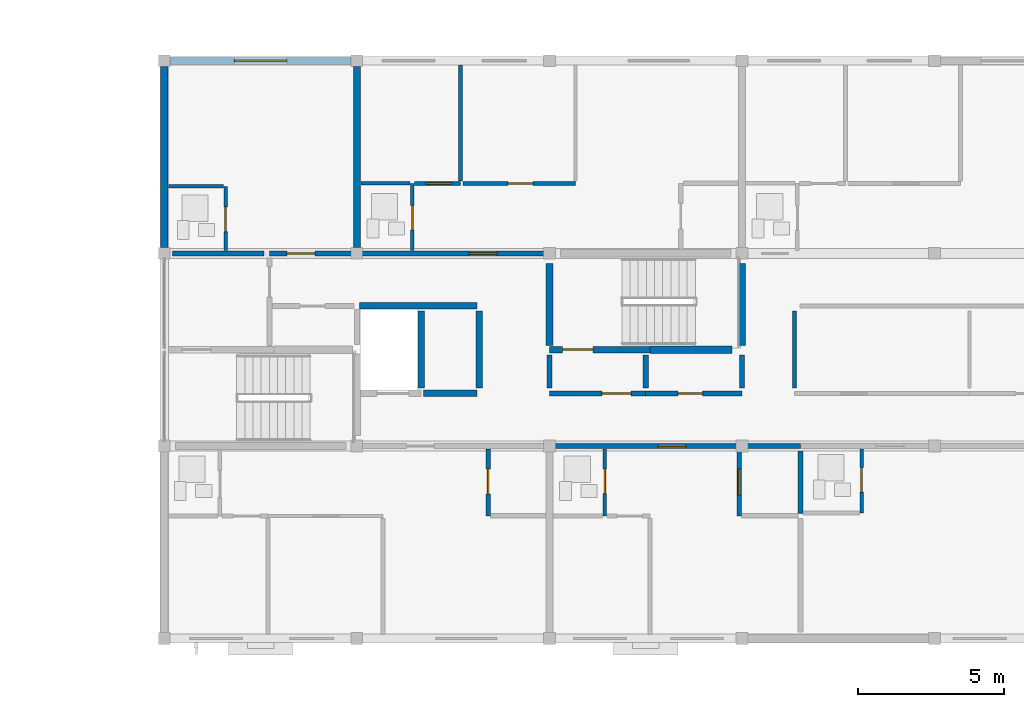
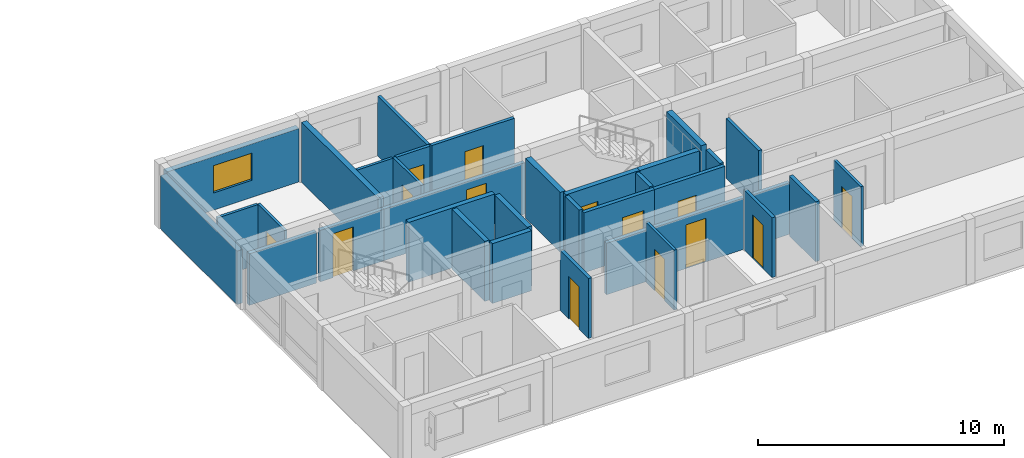
# One storey, part 24 of 37: 33 walls, 14 doors, 1 window, 15 openings.
"""IFC4 building model written with IfcOpenShell, lengths in metres."""

from ifc_helpers import new_model, si_unit, direction, frame, frame_2d, origin, place, context, subcontext, project, spatial, rectangle, extrude, material, layer, layer_set, type_object, element, fill, save


model = new_model("IFC4")

# Units and contexts
model_context = context("Model", 3, precision=1e-05, world=origin(), true_north=direction((0.0, 1.0)))
body_context = subcontext(model_context, "Body", "Model", "MODEL_VIEW")
ifc_project = project(units=[si_unit("LENGTHUNIT", "METRE"), si_unit("AREAUNIT", "SQUARE_METRE"), si_unit("VOLUMEUNIT", "CUBIC_METRE"), si_unit("PLANEANGLEUNIT", "RADIAN"), si_unit("MASSUNIT", "GRAM", prefix="KILO")], contexts=[model_context])

# Site, building, storey
site_placement = place(None, origin())
site = spatial("IfcSite", under=ifc_project, at=site_placement, CompositionType="ELEMENT")
building_placement = place(site_placement, origin())
building = spatial("IfcBuilding", under=site, at=building_placement, Name="Kernevlak Ridge Housing Community", CompositionType="ELEMENT")
storey_placement = place(building_placement, frame((0.0, 0.0, 37.199951171875)))
storey = spatial("IfcBuildingStorey", under=building, at=storey_placement, Name="L11", CompositionType="ELEMENT", Elevation=37.199951171875)

# Wall, opening, window
ifc_material_1 = material(Name="Concrete block masonry M10", Category="masonry")
ifc_layer_1 = layer(ifc_material_1, 0.260009765625, Name="Concrete block masonry M10")
ifc_layer_set_1 = layer_set([ifc_layer_1], Name="Concrete block masonry M10")
wall_type_1 = type_object("IfcWallType", Name="EW-05", PredefinedType="STANDARD", material=ifc_layer_set_1)
wall_1_placement = place(storey_placement, frame((119.60009765625, 102.39990234375, 0.0), z_axis=(0.0, 0.0, 1.0), x_axis=(1.0, 0.0, 0.0)))
wall_1 = element("IfcWall", 1, at=wall_1_placement, inside=storey, type_object=wall_type_1, Name="Exterior wall EW-05 L11 472", PredefinedType="STANDARD", context=body_context, shape_type="SweptSolid", body=[
    extrude(rectangle(XDim=6.199951171875, YDim=0.260009765625, at=frame_2d((3.10009765625, 0.0))), origin(), (0.0, 0.0, 1.0), 2.650146484375),
])
opening_1_placement = place(wall_1_placement, frame((2.199951171875, 0.0, 0.85009765625)))
opening_1 = element("IfcOpeningElement", 2, at=opening_1_placement, cuts=wall_1, Name="Opening WT-03", PredefinedType="OPENING", context=body_context, shape_type="SweptSolid", body=[
    extrude(rectangle(XDim=1.800048828125, YDim=1.35009765625, at=frame_2d((0.89990234375, 0.675048828125))), frame((0.0, 0.139892578125, 0.0), z_axis=(0.0, -1.0, 0.0), x_axis=(1.0, 0.0, 0.0)), (0.0, 0.0, 1.0), 0.280029296875),
])
ifc_material_2 = material(Name="Aluminium EN AW-6060 anodised and laminated glass", Category="aluminium")
window_type = type_object("IfcWindowType", Name="WT-03", PartitioningType="SINGLE_PANEL", PredefinedType="WINDOW", material=ifc_material_2)
window_placement = place(opening_1_placement, origin())
window = element("IfcWindow", 3, at=window_placement, inside=storey, type_object=window_type, Name="Window WT-03 L11 367", OverallHeight=1.35009765625, OverallWidth=1.800048828125, PartitioningType="SINGLE_PANEL", PredefinedType="WINDOW", context=body_context, shape_type="SweptSolid", body=[
    extrude(rectangle(XDim=1.800048828125, YDim=1.35009765625, at=frame_2d((0.89990234375, 0.675048828125))), frame((0.0, 0.030029296875, 0.0), z_axis=(0.0, -1.0, 0.0), x_axis=(1.0, 0.0, 0.0)), (0.0, 0.0, 1.0), 0.06005859375),
])
fill(opening_1, window)

# Walls
wall_2_placement = place(storey_placement, frame((119.39990234375, 96.0, 0.0), z_axis=(0.0, 0.0, 1.0), x_axis=(0.0, 1.0, 0.0)))
element("IfcWall", 4, at=wall_2_placement, inside=storey, type_object=wall_type_1, Name="Exterior wall EW-05 L11 480", PredefinedType="STANDARD", context=body_context, shape_type="SweptSolid", body=[
    extrude(rectangle(XDim=6.199951171875, YDim=0.260009765625, at=frame_2d((3.10009765625, 0.0))), origin(), (0.0, 0.0, 1.0), 2.650146484375),
])
ifc_material_3 = material(Name="Concrete C35/45", Category="concrete")
ifc_layer_2 = layer(ifc_material_3, 0.22509765625, Name="Concrete C35/45")
ifc_layer_set_2 = layer_set([ifc_layer_2], Name="Concrete C35/45")
wall_type_2 = type_object("IfcWallType", Name="PW-01", PredefinedType="STANDARD", material=ifc_layer_set_2)
wall_3_placement = place(storey_placement, frame((128.280029296875, 91.0, 0.0), z_axis=(0.0, 0.0, 1.0), x_axis=(1.0, 0.0, 0.0)))
element("IfcWall", 5, at=wall_3_placement, inside=storey, type_object=wall_type_2, Name="Interior wall PW-01 WAL-INT-L11-1833", PredefinedType="STANDARD", context=body_context, shape_type="SweptSolid", body=[
    extrude(rectangle(XDim=1.840087890625, YDim=0.22509765625, at=frame_2d((0.919921875, 0.0))), origin(), (0.0, 0.0, 1.0), 2.969970703125),
])
wall_4_placement = place(storey_placement, frame((126.097412109375, 94.0, 0.0), z_axis=(0.0, 0.0, 1.0), x_axis=(1.0, 0.0, 0.0)))
element("IfcWall", 6, at=wall_4_placement, inside=storey, type_object=wall_type_2, Name="Interior wall PW-01 WAL-INT-L11-1834", PredefinedType="STANDARD", context=body_context, shape_type="SweptSolid", body=[
    extrude(rectangle(XDim=4.022705078125, YDim=0.22509765625, at=frame_2d((2.01123046875, 0.0))), origin(), (0.0, 0.0, 1.0), 2.969970703125),
])
for number, where, z_axis, x_axis, name in (
    (7, (128.199951171875, 91.179931640625, 0.0), (0.0, 0.0, 1.0), (0.0, 1.0, 0.0), "Interior wall PW-01 WAL-INT-L11-1836"),
    (8, (130.199951171875, 91.179931640625, 0.0), (0.0, 0.0, 1.0), (0.0, 1.0, 0.0), "Interior wall PW-01 WAL-INT-L11-1837"),
):
    element("IfcWall", number, at=place(storey_placement, frame(where, z_axis=z_axis, x_axis=x_axis)), inside=storey, type_object=wall_type_2, Name=name, PredefinedType="STANDARD", context=body_context, shape_type="SweptSolid", body=[
        extrude(rectangle(XDim=2.64013671875, YDim=0.22509765625, at=frame_2d((1.320068359375, 0.0))), origin(), (0.0, 0.0, 1.0), 2.969970703125),
    ])

# Wall, opening, door
wall_5_placement = place(storey_placement, frame((132.60009765625, 92.5, 0.0), z_axis=(0.0, 0.0, 1.0), x_axis=(1.0, 0.0, 0.0)))
wall_5 = element("IfcWall", 9, at=wall_5_placement, inside=storey, type_object=wall_type_2, Name="Interior wall PW-01 WAL-INT-L11-1838", PredefinedType="STANDARD", context=body_context, shape_type="SweptSolid", body=[
    extrude(rectangle(XDim=3.449951171875, YDim=0.22509765625, at=frame_2d((1.72509765625, 0.0))), origin(), (0.0, 0.0, 1.0), 2.969970703125),
])
opening_2_placement = place(wall_5_placement, frame((0.449951171875, 0.0, 0.0)))
opening_2 = element("IfcOpeningElement", 10, at=opening_2_placement, cuts=wall_5, Name="Opening D930", PredefinedType="OPENING", context=body_context, shape_type="SweptSolid", body=[
    extrude(rectangle(XDim=1.0400390625, YDim=2.1201171875, at=frame_2d((0.52001953125, 1.06005859375))), frame((0.0, 0.12255859375, 0.0), z_axis=(0.0, -1.0, 0.0), x_axis=(1.0, 0.0, 0.0)), (0.0, 0.0, 1.0), 0.2451171875),
])
ifc_material_4 = material(Name="Fire-rated sheet steel leaf", Category="steel")
door_type_1 = type_object("IfcDoorType", Name="DT-16", OperationType="NOTDEFINED", PredefinedType="DOOR", material=ifc_material_4)
door_1_placement = place(opening_2_placement, origin())
door_1 = element("IfcDoor", 11, at=door_1_placement, inside=storey, type_object=door_type_1, Name="Block B Stair 2 fire door D930", OperationType="SINGLE_SWING_RIGHT", OverallHeight=2.1201171875, OverallWidth=1.0400390625, PredefinedType="DOOR", context=body_context, shape_type="SweptSolid", body=[
    extrude(rectangle(XDim=1.0400390625, YDim=2.1201171875, at=frame_2d((0.52001953125, 1.06005859375))), frame((0.0, 0.02490234375, 0.0), z_axis=(0.0, -1.0, 0.0), x_axis=(1.0, 0.0, 0.0)), (0.0, 0.0, 1.0), 0.050048828125),
])
fill(opening_2, door_1)

ifc_layer_3 = layer(ifc_material_1, 0.175048828125, Name="Concrete block masonry M10")
ifc_layer_set_3 = layer_set([ifc_layer_3], Name="Concrete block masonry M10")
wall_type_3 = type_object("IfcWallType", Name="PW-02", PredefinedType="PARTITIONING", material=ifc_layer_set_3)
wall_6_placement = place(storey_placement, frame((132.60009765625, 91.0, 0.0), z_axis=(0.0, 0.0, 1.0), x_axis=(1.0, 0.0, 0.0)))
wall_6 = element("IfcWall", 12, at=wall_6_placement, inside=storey, type_object=wall_type_3, Name="Interior wall PW-02 WAL-INT-L11-1839", PredefinedType="PARTITIONING", context=body_context, shape_type="SweptSolid", body=[
    extrude(rectangle(XDim=3.2998046875, YDim=0.175048828125, at=frame_2d((1.64990234375, 0.0))), origin(), (0.0, 0.0, 1.0), 2.969970703125),
])
opening_3_placement = place(wall_6_placement, frame((1.800048828125, 0.0, 0.0)))
opening_3 = element("IfcOpeningElement", 13, at=opening_3_placement, cuts=wall_6, Name="Opening D931", PredefinedType="OPENING", context=body_context, shape_type="SweptSolid", body=[
    extrude(rectangle(XDim=1.0, YDim=2.10009765625, at=frame_2d((0.5, 1.050048828125))), frame((0.0, 0.097412109375, 0.0), z_axis=(0.0, -1.0, 0.0), x_axis=(1.0, 0.0, 0.0)), (0.0, 0.0, 1.0), 0.195068359375),
])
door_type_2 = type_object("IfcDoorType", Name="DT-05", OperationType="NOTDEFINED", PredefinedType="DOOR", material=ifc_material_4)
door_2_placement = place(opening_3_placement, origin())
door_2 = element("IfcDoor", 14, at=door_2_placement, inside=storey, type_object=door_type_2, Name="Block B Firefighting lobby 2 door D931", OperationType="SINGLE_SWING_LEFT", OverallHeight=2.10009765625, OverallWidth=1.0, PredefinedType="DOOR", context=body_context, shape_type="SweptSolid", body=[
    extrude(rectangle(XDim=1.0, YDim=2.10009765625, at=frame_2d((0.5, 1.050048828125))), frame((0.0, 0.02490234375, 0.0), z_axis=(0.0, -1.0, 0.0), x_axis=(1.0, 0.0, 0.0)), (0.0, 0.0, 1.0), 0.050048828125),
])
fill(opening_3, door_2)

wall_7_placement = place(storey_placement, frame((135.89990234375, 91.0, 0.0), z_axis=(0.0, 0.0, 1.0), x_axis=(1.0, 0.0, 0.0)))
wall_7 = element("IfcWall", 15, at=wall_7_placement, inside=storey, type_object=wall_type_3, Name="Interior wall PW-02 WAL-INT-L11-1840", PredefinedType="PARTITIONING", context=body_context, shape_type="SweptSolid", body=[
    extrude(rectangle(XDim=3.300048828125, YDim=0.175048828125, at=frame_2d((1.64990234375, 0.0))), origin(), (0.0, 0.0, 1.0), 2.969970703125),
])
opening_4_placement = place(wall_7_placement, frame((1.10009765625, 0.0, 0.0)))
opening_4 = element("IfcOpeningElement", 16, at=opening_4_placement, cuts=wall_7, Name="Opening D932", PredefinedType="OPENING", context=body_context, shape_type="SweptSolid", body=[
    extrude(rectangle(XDim=0.85009765625, YDim=2.0, at=frame_2d((0.425048828125, 1.0))), frame((0.0, 0.097412109375, 0.0), z_axis=(0.0, -1.0, 0.0), x_axis=(1.0, 0.0, 0.0)), (0.0, 0.0, 1.0), 0.195068359375),
])
door_type_3 = type_object("IfcDoorType", Name="DT-07", OperationType="NOTDEFINED", PredefinedType="DOOR", material=ifc_material_4)
door_3_placement = place(opening_4_placement, origin())
door_3 = element("IfcDoor", 17, at=door_3_placement, inside=storey, type_object=door_type_3, Name="Block B Cleaner store door D932", OperationType="SINGLE_SWING_RIGHT", OverallHeight=2.0, OverallWidth=0.85009765625, PredefinedType="DOOR", context=body_context, shape_type="SweptSolid", body=[
    extrude(rectangle(XDim=0.85009765625, YDim=2.0, at=frame_2d((0.425048828125, 1.0))), frame((0.0, 0.02490234375, 0.0), z_axis=(0.0, -1.0, 0.0), x_axis=(1.0, 0.0, 0.0)), (0.0, 0.0, 1.0), 0.050048828125),
])
fill(opening_4, door_3)

# Walls
for number, where, z_axis, x_axis, name in (
    (18, (132.60009765625, 91.179931640625, 0.0), (0.0, 0.0, 1.0), (0.0, 1.0, 0.0), "Interior wall PW-02 WAL-INT-L11-1841"),
    (19, (135.89990234375, 91.179931640625, 0.0), (0.0, 0.0, 1.0), (0.0, 1.0, 0.0), "Interior wall PW-02 WAL-INT-L11-1842"),
    (20, (139.199951171875, 91.179931640625, 0.0), (0.0, 0.0, 1.0), (0.0, 1.0, 0.0), "Interior wall PW-02 WAL-INT-L11-1843"),
):
    element("IfcWall", number, at=place(storey_placement, frame(where, z_axis=z_axis, x_axis=x_axis)), inside=storey, type_object=wall_type_3, Name=name, PredefinedType="PARTITIONING", context=body_context, shape_type="SweptSolid", body=[
        extrude(rectangle(XDim=1.14013671875, YDim=0.175048828125, at=frame_2d((0.570068359375, 0.0))), origin(), (0.0, 0.0, 1.0), 2.969970703125),
    ])

# Wall, opening, door
wall_8_placement = place(storey_placement, frame((132.60009765625, 89.199951171875, 0.0), z_axis=(0.0, 0.0, 1.0), x_axis=(1.0, 0.0, 0.0)))
wall_8 = element("IfcWall", 21, at=wall_8_placement, inside=storey, type_object=wall_type_3, Name="Interior wall PW-02 WAL-INT-L11-1858", PredefinedType="PARTITIONING", context=body_context, shape_type="SweptSolid", body=[
    extrude(rectangle(XDim=8.599853515625, YDim=0.175048828125, at=frame_2d((4.2998046875, 0.0))), origin(), (0.0, 0.0, 1.0), 2.550048828125),
])
opening_5_placement = place(wall_8_placement, frame((3.72509765625, 0.0, 0.0)))
opening_5 = element("IfcOpeningElement", 22, at=opening_5_placement, cuts=wall_8, Name="Opening D940", PredefinedType="OPENING", context=body_context, shape_type="SweptSolid", body=[
    extrude(rectangle(XDim=0.949951171875, YDim=2.159912109375, at=frame_2d((0.47509765625, 1.080078125))), frame((0.0, 0.097412109375, 0.0), z_axis=(0.0, -1.0, 0.0), x_axis=(1.0, 0.0, 0.0)), (0.0, 0.0, 1.0), 0.195068359375),
])
ifc_material_5 = material(Name="Hardwood timber solid-core fire leaf", Category="wood")
door_type_4 = type_object("IfcDoorType", Name="DT-02", OperationType="NOTDEFINED", PredefinedType="DOOR", material=ifc_material_5)
door_4_placement = place(opening_5_placement, origin())
door_4 = element("IfcDoor", 23, at=door_4_placement, inside=storey, type_object=door_type_4, Name="Flat B1112 entrance fire door D940", OperationType="SINGLE_SWING_RIGHT", OverallHeight=2.159912109375, OverallWidth=0.949951171875, PredefinedType="DOOR", context=body_context, shape_type="SweptSolid", body=[
    extrude(rectangle(XDim=0.949951171875, YDim=2.159912109375, at=frame_2d((0.47509765625, 1.080078125))), frame((0.0, 0.02490234375, 0.0), z_axis=(0.0, -1.0, 0.0), x_axis=(1.0, 0.0, 0.0)), (0.0, 0.0, 1.0), 0.050048828125),
])
fill(opening_5, door_4)

# Walls
wall_9_placement = place(storey_placement, frame((141.199951171875, 89.02001953125, 0.0), z_axis=(0.0, 0.0, 1.0), x_axis=(0.0, -1.0, 0.0)))
element("IfcWall", 24, at=wall_9_placement, inside=storey, type_object=wall_type_3, Name="Interior wall PW-02 WAL-INT-L11-1865", PredefinedType="PARTITIONING", context=body_context, shape_type="SweptSolid", body=[
    extrude(rectangle(XDim=2.132568359375, YDim=0.175048828125, at=frame_2d((1.06640625, 0.0))), origin(), (0.0, 0.0, 1.0), 2.969970703125),
])
wall_10_placement = place(storey_placement, frame((119.679931640625, 95.800048828125, 0.0), z_axis=(0.0, 0.0, 1.0), x_axis=(1.0, 0.0, 0.0)))
element("IfcWall", 25, at=wall_10_placement, inside=storey, type_object=wall_type_3, Name="Interior wall PW-02 WAL-INT-L11-1869", PredefinedType="PARTITIONING", context=body_context, shape_type="SweptSolid", body=[
    extrude(rectangle(XDim=3.14013671875, YDim=0.175048828125, at=frame_2d((1.570068359375, 0.0))), origin(), (0.0, 0.0, 1.0), 2.550048828125),
])

# Wall, opening, door
wall_11_placement = place(storey_placement, frame((123.0, 95.800048828125, 0.0), z_axis=(0.0, 0.0, 1.0), x_axis=(1.0, 0.0, 0.0)))
wall_11 = element("IfcWall", 26, at=wall_11_placement, inside=storey, type_object=wall_type_3, Name="Interior wall PW-02 WAL-INT-L11-1870", PredefinedType="PARTITIONING", context=body_context, shape_type="SweptSolid", body=[
    extrude(rectangle(XDim=3.0, YDim=0.175048828125, at=frame_2d((1.5, 0.0))), origin(), (0.0, 0.0, 1.0), 2.550048828125),
])
opening_6_placement = place(wall_11_placement, frame((0.60009765625, 0.0, 0.0)))
opening_6 = element("IfcOpeningElement", 27, at=opening_6_placement, cuts=wall_11, Name="Opening D946", PredefinedType="OPENING", context=body_context, shape_type="SweptSolid", body=[
    extrude(rectangle(XDim=0.9599609375, YDim=2.179931640625, at=frame_2d((0.47998046875, 1.08984375))), frame((0.0, 0.097412109375, 0.0), z_axis=(0.0, -1.0, 0.0), x_axis=(1.0, 0.0, 0.0)), (0.0, 0.0, 1.0), 0.195068359375),
])
door_type_5 = type_object("IfcDoorType", Name="DT-29", OperationType="NOTDEFINED", PredefinedType="DOOR", material=ifc_material_5)
door_5_placement = place(opening_6_placement, origin())
door_5 = element("IfcDoor", 28, at=door_5_placement, inside=storey, type_object=door_type_5, Name="Flat B1121 entrance fire door D946", OperationType="SINGLE_SWING_RIGHT", OverallHeight=2.179931640625, OverallWidth=0.9599609375, PredefinedType="DOOR", context=body_context, shape_type="SweptSolid", body=[
    extrude(rectangle(XDim=0.9599609375, YDim=2.179931640625, at=frame_2d((0.47998046875, 1.08984375))), frame((0.0, 0.02490234375, 0.0), z_axis=(0.0, -1.0, 0.0), x_axis=(1.0, 0.0, 0.0)), (0.0, 0.0, 1.0), 0.050048828125),
])
fill(opening_6, door_5)

wall_12_placement = place(storey_placement, frame((126.0, 95.800048828125, 0.0), z_axis=(0.0, 0.0, 1.0), x_axis=(1.0, 0.0, 0.0)))
wall_12 = element("IfcWall", 29, at=wall_12_placement, inside=storey, type_object=wall_type_3, Name="Interior wall PW-02 WAL-INT-L11-1873", PredefinedType="PARTITIONING", context=body_context, shape_type="SweptSolid", body=[
    extrude(rectangle(XDim=6.60009765625, YDim=0.175048828125, at=frame_2d((3.300048828125, 0.0))), origin(), (0.0, 0.0, 1.0), 2.550048828125),
])
opening_7_placement = place(wall_12_placement, frame((3.85009765625, 0.0, 0.0)))
opening_7 = element("IfcOpeningElement", 30, at=opening_7_placement, cuts=wall_12, Name="Opening D948", PredefinedType="OPENING", context=body_context, shape_type="SweptSolid", body=[
    extrude(rectangle(XDim=0.949951171875, YDim=2.159912109375, at=frame_2d((0.47509765625, 1.080078125))), frame((0.0, 0.097412109375, 0.0), z_axis=(0.0, -1.0, 0.0), x_axis=(1.0, 0.0, 0.0)), (0.0, 0.0, 1.0), 0.195068359375),
])
door_6_placement = place(opening_7_placement, origin())
door_6 = element("IfcDoor", 31, at=door_6_placement, inside=storey, type_object=door_type_4, Name="Flat B1122 entrance fire door D948", OperationType="SINGLE_SWING_RIGHT", OverallHeight=2.159912109375, OverallWidth=0.949951171875, PredefinedType="DOOR", context=body_context, shape_type="SweptSolid", body=[
    extrude(rectangle(XDim=0.949951171875, YDim=2.159912109375, at=frame_2d((0.47509765625, 1.080078125))), frame((0.0, 0.02490234375, 0.0), z_axis=(0.0, -1.0, 0.0), x_axis=(1.0, 0.0, 0.0)), (0.0, 0.0, 1.0), 0.050048828125),
])
fill(opening_7, door_6)

# Wall
ifc_layer_4 = layer(ifc_material_1, 0.14501953125, Name="Concrete block masonry M10")
ifc_layer_set_4 = layer_set([ifc_layer_4], Name="Concrete block masonry M10")
wall_type_4 = type_object("IfcWallType", Name="PW-03", PredefinedType="PARTITIONING", material=ifc_layer_set_4)
wall_13_placement = place(storey_placement, frame((141.0, 91.179931640625, 0.0), z_axis=(0.0, 0.0, 1.0), x_axis=(0.0, 1.0, 0.0)))
element("IfcWall", 32, at=wall_13_placement, inside=storey, type_object=wall_type_4, Name="Interior wall PW-03 WAL-INT-L11-1848", PredefinedType="PARTITIONING", context=body_context, shape_type="SweptSolid", body=[
    extrude(rectangle(XDim=2.64013671875, YDim=0.14501953125, at=frame_2d((1.320068359375, 0.0))), origin(), (0.0, 0.0, 1.0), 2.969970703125),
])

# Wall, opening, door
wall_14_placement = place(storey_placement, frame((127.972412109375, 98.199951171875, 0.0), z_axis=(0.0, 0.0, 1.0), x_axis=(1.0, 0.0, 0.0)))
wall_14 = element("IfcWall", 33, at=wall_14_placement, inside=storey, type_object=wall_type_4, Name="Interior wall PW-03 WAL-INT-L11-1878", PredefinedType="PARTITIONING", context=body_context, shape_type="SweptSolid", body=[
    extrude(rectangle(XDim=1.57763671875, YDim=0.14501953125, at=frame_2d((0.788818359375, 0.0))), origin(), (0.0, 0.0, 1.0), 2.969970703125),
])
opening_8_placement = place(wall_14_placement, frame((0.39990234375, 0.0, 0.0)))
opening_8 = element("IfcOpeningElement", 34, at=opening_8_placement, cuts=wall_14, Name="Opening D951", PredefinedType="OPENING", context=body_context, shape_type="SweptSolid", body=[
    extrude(rectangle(XDim=0.8798828125, YDim=2.159912109375, at=frame_2d((0.43994140625, 1.080078125))), frame((0.0, 0.08251953125, 0.0), z_axis=(0.0, -1.0, 0.0), x_axis=(1.0, 0.0, 0.0)), (0.0, 0.0, 1.0), 0.1650390625),
])
ifc_material_6 = material(Name="Hardwood timber leaf", Category="wood")
door_type_6 = type_object("IfcDoorType", Name="DT-26", OperationType="NOTDEFINED", PredefinedType="DOOR", material=ifc_material_6)
door_7_placement = place(opening_8_placement, origin())
door_7 = element("IfcDoor", 35, at=door_7_placement, inside=storey, type_object=door_type_6, Name="Flat B1122 bedroom door D951", OperationType="SINGLE_SWING_LEFT", OverallHeight=2.159912109375, OverallWidth=0.8798828125, PredefinedType="DOOR", context=body_context, shape_type="SweptSolid", body=[
    extrude(rectangle(XDim=0.8798828125, YDim=2.159912109375, at=frame_2d((0.43994140625, 1.080078125))), frame((0.0, 0.02490234375, 0.0), z_axis=(0.0, -1.0, 0.0), x_axis=(1.0, 0.0, 0.0)), (0.0, 0.0, 1.0), 0.050048828125),
])
fill(opening_8, door_7)

# Wall
wall_15_placement = place(storey_placement, frame((129.550048828125, 98.282470703125, 0.0), z_axis=(0.0, 0.0, 1.0), x_axis=(0.0, 1.0, 0.0)))
element("IfcWall", 36, at=wall_15_placement, inside=storey, type_object=wall_type_4, Name="Interior wall PW-03 WAL-INT-L11-1879", PredefinedType="PARTITIONING", context=body_context, shape_type="SweptSolid", body=[
    extrude(rectangle(XDim=3.9775390625, YDim=0.14501953125, at=frame_2d((1.98876953125, 0.0))), origin(), (0.0, 0.0, 1.0), 2.969970703125),
])

# Wall, opening, door
wall_16_placement = place(storey_placement, frame((129.632568359375, 98.199951171875, 0.0), z_axis=(0.0, 0.0, 1.0), x_axis=(1.0, 0.0, 0.0)))
wall_16 = element("IfcWall", 37, at=wall_16_placement, inside=storey, type_object=wall_type_4, Name="Interior wall PW-03 WAL-INT-L11-1880", PredefinedType="PARTITIONING", context=body_context, shape_type="SweptSolid", body=[
    extrude(rectangle(XDim=3.859375, YDim=0.14501953125, at=frame_2d((1.9296875, 0.0))), origin(), (0.0, 0.0, 1.0), 2.969970703125),
])
opening_9_placement = place(wall_16_placement, frame((1.5458984375, 0.0, 0.0)))
opening_9 = element("IfcOpeningElement", 38, at=opening_9_placement, cuts=wall_16, Name="Opening D952", PredefinedType="OPENING", context=body_context, shape_type="SweptSolid", body=[
    extrude(rectangle(XDim=0.860107421875, YDim=2.1201171875, at=frame_2d((0.43017578125, 1.06005859375))), frame((0.0, 0.08251953125, 0.0), z_axis=(0.0, -1.0, 0.0), x_axis=(1.0, 0.0, 0.0)), (0.0, 0.0, 1.0), 0.1650390625),
])
door_type_7 = type_object("IfcDoorType", Name="DT-28", OperationType="NOTDEFINED", PredefinedType="DOOR", material=ifc_material_6)
door_8_placement = place(opening_9_placement, origin())
door_8 = element("IfcDoor", 39, at=door_8_placement, inside=storey, type_object=door_type_7, Name="Flat B1122 bedroom door D952", OperationType="SINGLE_SWING_RIGHT", OverallHeight=2.1201171875, OverallWidth=0.860107421875, PredefinedType="DOOR", context=body_context, shape_type="SweptSolid", body=[
    extrude(rectangle(XDim=0.860107421875, YDim=2.1201171875, at=frame_2d((0.43017578125, 1.06005859375))), frame((0.0, 0.02490234375, 0.0), z_axis=(0.0, -1.0, 0.0), x_axis=(1.0, 0.0, 0.0)), (0.0, 0.0, 1.0), 0.050048828125),
])
fill(opening_9, door_8)

ifc_material_7 = material(Name="Gypsum plasterboard EN 520", Category="gypsum")
ifc_layer_5 = layer(ifc_material_7, 0.125, Name="Gypsum plasterboard EN 520")
ifc_layer_set_5 = layer_set([ifc_layer_5], Name="Gypsum plasterboard EN 520")
wall_type_5 = type_object("IfcWallType", Name="PW-04", PredefinedType="PARTITIONING", material=ifc_layer_set_5)
wall_17_placement = place(storey_placement, frame((134.5, 89.1025390625, 0.0), z_axis=(0.0, 0.0, 1.0), x_axis=(0.0, -1.0, 0.0)))
wall_17 = element("IfcWall", 40, at=wall_17_placement, inside=storey, type_object=wall_type_5, Name="Interior wall PW-04 WAL-INT-L11-1859", PredefinedType="PARTITIONING", context=body_context, shape_type="SweptSolid", body=[
    extrude(rectangle(XDim=2.302490234375, YDim=0.125, at=frame_2d((1.1513671875, 0.0))), origin(), (0.0, 0.0, 1.0), 2.969970703125),
])
opening_10_placement = place(wall_17_placement, frame((0.699951171875, 0.0, 0.0)))
opening_10 = element("IfcOpeningElement", 41, at=opening_10_placement, cuts=wall_17, Name="Opening D941", PredefinedType="OPENING", context=body_context, shape_type="SweptSolid", body=[
    extrude(rectangle(XDim=0.840087890625, YDim=2.06005859375, at=frame_2d((0.419921875, 1.030029296875))), frame((0.0, 0.072509765625, 0.0), z_axis=(0.0, -1.0, 0.0), x_axis=(1.0, 0.0, 0.0)), (0.0, 0.0, 1.0), 0.14501953125),
])
ifc_material_8 = material(Name="Hardwood timber moisture-resistant leaf", Category="wood")
door_type_8 = type_object("IfcDoorType", Name="DT-27", OperationType="NOTDEFINED", PredefinedType="DOOR", material=ifc_material_8)
door_9_placement = place(opening_10_placement, origin())
door_9 = element("IfcDoor", 42, at=door_9_placement, inside=storey, type_object=door_type_8, Name="Flat B1112 bathroom door D941", OperationType="SINGLE_SWING_LEFT", OverallHeight=2.06005859375, OverallWidth=0.840087890625, PredefinedType="DOOR", context=body_context, shape_type="SweptSolid", body=[
    extrude(rectangle(XDim=0.840087890625, YDim=2.06005859375, at=frame_2d((0.419921875, 1.030029296875))), frame((0.0, 0.02490234375, 0.0), z_axis=(0.0, -1.0, 0.0), x_axis=(1.0, 0.0, 0.0)), (0.0, 0.0, 1.0), 0.050048828125),
])
fill(opening_10, door_9)

wall_18_placement = place(storey_placement, frame((143.300048828125, 89.1025390625, 0.0), z_axis=(0.0, 0.0, 1.0), x_axis=(0.0, -1.0, 0.0)))
wall_18 = element("IfcWall", 43, at=wall_18_placement, inside=storey, type_object=wall_type_5, Name="Interior wall PW-04 WAL-INT-L11-1867", PredefinedType="PARTITIONING", context=body_context, shape_type="SweptSolid", body=[
    extrude(rectangle(XDim=2.20263671875, YDim=0.125, at=frame_2d((1.101318359375, 0.0))), origin(), (0.0, 0.0, 1.0), 2.969970703125),
])
opening_11_placement = place(wall_18_placement, frame((0.64990234375, 0.0, 0.0)))
opening_11 = element("IfcOpeningElement", 44, at=opening_11_placement, cuts=wall_18, Name="Opening D945", PredefinedType="OPENING", context=body_context, shape_type="SweptSolid", body=[
    extrude(rectangle(XDim=0.840087890625, YDim=2.06005859375, at=frame_2d((0.419921875, 1.030029296875))), frame((0.0, 0.072509765625, 0.0), z_axis=(0.0, -1.0, 0.0), x_axis=(1.0, 0.0, 0.0)), (0.0, 0.0, 1.0), 0.14501953125),
])
door_10_placement = place(opening_11_placement, origin())
door_10 = element("IfcDoor", 45, at=door_10_placement, inside=storey, type_object=door_type_8, Name="Flat B1113 bathroom door D945", OperationType="SINGLE_SWING_LEFT", OverallHeight=2.06005859375, OverallWidth=0.840087890625, PredefinedType="DOOR", context=body_context, shape_type="SweptSolid", body=[
    extrude(rectangle(XDim=0.840087890625, YDim=2.06005859375, at=frame_2d((0.419921875, 1.030029296875))), frame((0.0, 0.02490234375, 0.0), z_axis=(0.0, -1.0, 0.0), x_axis=(1.0, 0.0, 0.0)), (0.0, 0.0, 1.0), 0.050048828125),
])
fill(opening_11, door_10)

wall_19_placement = place(storey_placement, frame((121.5, 95.8974609375, 0.0), z_axis=(0.0, 0.0, 1.0), x_axis=(0.0, 1.0, 0.0)))
wall_19 = element("IfcWall", 46, at=wall_19_placement, inside=storey, type_object=wall_type_5, Name="Interior wall PW-04 WAL-INT-L11-1871", PredefinedType="PARTITIONING", context=body_context, shape_type="SweptSolid", body=[
    extrude(rectangle(XDim=2.20263671875, YDim=0.125, at=frame_2d((1.101318359375, 0.0))), origin(), (0.0, 0.0, 1.0), 2.969970703125),
])
opening_12_placement = place(wall_19_placement, frame((0.64990234375, 0.0, 0.0)))
opening_12 = element("IfcOpeningElement", 47, at=opening_12_placement, cuts=wall_19, Name="Opening D947", PredefinedType="OPENING", context=body_context, shape_type="SweptSolid", body=[
    extrude(rectangle(XDim=0.85009765625, YDim=2.0400390625, at=frame_2d((0.425048828125, 1.02001953125))), frame((0.0, 0.072509765625, 0.0), z_axis=(0.0, -1.0, 0.0), x_axis=(1.0, 0.0, 0.0)), (0.0, 0.0, 1.0), 0.14501953125),
])
door_type_9 = type_object("IfcDoorType", Name="DT-04", OperationType="NOTDEFINED", PredefinedType="DOOR", material=ifc_material_8)
door_11_placement = place(opening_12_placement, origin())
door_11 = element("IfcDoor", 48, at=door_11_placement, inside=storey, type_object=door_type_9, Name="Flat B1121 bathroom door D947", OperationType="SINGLE_SWING_LEFT", OverallHeight=2.0400390625, OverallWidth=0.85009765625, PredefinedType="DOOR", context=body_context, shape_type="SweptSolid", body=[
    extrude(rectangle(XDim=0.85009765625, YDim=2.0400390625, at=frame_2d((0.425048828125, 1.02001953125))), frame((0.0, 0.02490234375, 0.0), z_axis=(0.0, -1.0, 0.0), x_axis=(1.0, 0.0, 0.0)), (0.0, 0.0, 1.0), 0.050048828125),
])
fill(opening_12, door_11)

# Wall
wall_20_placement = place(storey_placement, frame((119.5400390625, 98.10009765625, 0.0), z_axis=(0.0, 0.0, 1.0), x_axis=(1.0, 0.0, 0.0)))
element("IfcWall", 49, at=wall_20_placement, inside=storey, type_object=wall_type_5, Name="Interior wall PW-04 WAL-INT-L11-1872", PredefinedType="PARTITIONING", context=body_context, shape_type="SweptSolid", body=[
    extrude(rectangle(XDim=1.8798828125, YDim=0.125, at=frame_2d((0.93994140625, 0.0))), origin(), (0.0, 0.0, 1.0), 2.969970703125),
])

# Wall, opening, door
wall_21_placement = place(storey_placement, frame((127.89990234375, 95.8974609375, 0.0), z_axis=(0.0, 0.0, 1.0), x_axis=(0.0, 1.0, 0.0)))
wall_21 = element("IfcWall", 50, at=wall_21_placement, inside=storey, type_object=wall_type_5, Name="Interior wall PW-04 WAL-INT-L11-1874", PredefinedType="PARTITIONING", context=body_context, shape_type="SweptSolid", body=[
    extrude(rectangle(XDim=2.302490234375, YDim=0.125, at=frame_2d((1.1513671875, 0.0))), origin(), (0.0, 0.0, 1.0), 2.969970703125),
])
opening_13_placement = place(wall_21_placement, frame((0.699951171875, 0.0, 0.0)))
opening_13 = element("IfcOpeningElement", 51, at=opening_13_placement, cuts=wall_21, Name="Opening D949", PredefinedType="OPENING", context=body_context, shape_type="SweptSolid", body=[
    extrude(rectangle(XDim=0.840087890625, YDim=2.06005859375, at=frame_2d((0.419921875, 1.030029296875))), frame((0.0, 0.072509765625, 0.0), z_axis=(0.0, -1.0, 0.0), x_axis=(1.0, 0.0, 0.0)), (0.0, 0.0, 1.0), 0.14501953125),
])
door_12_placement = place(opening_13_placement, origin())
door_12 = element("IfcDoor", 52, at=door_12_placement, inside=storey, type_object=door_type_8, Name="Flat B1122 bathroom door D949", OperationType="SINGLE_SWING_LEFT", OverallHeight=2.06005859375, OverallWidth=0.840087890625, PredefinedType="DOOR", context=body_context, shape_type="SweptSolid", body=[
    extrude(rectangle(XDim=0.840087890625, YDim=2.06005859375, at=frame_2d((0.419921875, 1.030029296875))), frame((0.0, 0.02490234375, 0.0), z_axis=(0.0, -1.0, 0.0), x_axis=(1.0, 0.0, 0.0)), (0.0, 0.0, 1.0), 0.050048828125),
])
fill(opening_13, door_12)

# Wall
wall_22_placement = place(storey_placement, frame((126.135009765625, 98.199951171875, 0.0), z_axis=(0.0, 0.0, 1.0), x_axis=(1.0, 0.0, 0.0)))
element("IfcWall", 53, at=wall_22_placement, inside=storey, type_object=wall_type_5, Name="Interior wall PW-04 WAL-INT-L11-1875", PredefinedType="PARTITIONING", context=body_context, shape_type="SweptSolid", body=[
    extrude(rectangle(XDim=1.68505859375, YDim=0.125, at=frame_2d((0.842529296875, 0.0))), origin(), (0.0, 0.0, 1.0), 2.969970703125),
])

# Wall, opening, door
ifc_layer_6 = layer(ifc_material_7, 0.155029296875, Name="Gypsum plasterboard EN 520")
ifc_layer_set_6 = layer_set([ifc_layer_6], Name="Gypsum plasterboard EN 520")
wall_type_6 = type_object("IfcWallType", Name="PW-05", PredefinedType="PARTITIONING", material=ifc_layer_set_6)
wall_23_placement = place(storey_placement, frame((130.5, 89.1025390625, 0.0), z_axis=(0.0, 0.0, 1.0), x_axis=(0.0, -1.0, 0.0)))
wall_23 = element("IfcWall", 54, at=wall_23_placement, inside=storey, type_object=wall_type_6, Name="Interior wall PW-05 WAL-INT-L11-1852", PredefinedType="PARTITIONING", context=body_context, shape_type="SweptSolid", body=[
    extrude(rectangle(XDim=2.302490234375, YDim=0.155029296875, at=frame_2d((1.1513671875, 0.0))), origin(), (0.0, 0.0, 1.0), 2.969970703125),
])
opening_14_placement = place(wall_23_placement, frame((0.699951171875, 0.0, 0.0)))
opening_14 = element("IfcOpeningElement", 55, at=opening_14_placement, cuts=wall_23, Name="Opening D937", PredefinedType="OPENING", context=body_context, shape_type="SweptSolid", body=[
    extrude(rectangle(XDim=0.85009765625, YDim=2.10009765625, at=frame_2d((0.425048828125, 1.050048828125))), frame((0.0, 0.08740234375, 0.0), z_axis=(0.0, -1.0, 0.0), x_axis=(1.0, 0.0, 0.0)), (0.0, 0.0, 1.0), 0.175048828125),
])
door_type_10 = type_object("IfcDoorType", Name="DT-03", OperationType="NOTDEFINED", PredefinedType="DOOR", material=ifc_material_6)
door_13_placement = place(opening_14_placement, origin())
door_13 = element("IfcDoor", 56, at=door_13_placement, inside=storey, type_object=door_type_10, Name="Flat B1111 kitchen door D937", OperationType="SINGLE_SWING_LEFT", OverallHeight=2.10009765625, OverallWidth=0.85009765625, PredefinedType="DOOR", context=body_context, shape_type="SweptSolid", body=[
    extrude(rectangle(XDim=0.85009765625, YDim=2.10009765625, at=frame_2d((0.425048828125, 1.050048828125))), frame((0.0, 0.02490234375, 0.0), z_axis=(0.0, -1.0, 0.0), x_axis=(1.0, 0.0, 0.0)), (0.0, 0.0, 1.0), 0.050048828125),
])
fill(opening_14, door_13)

wall_24_placement = place(storey_placement, frame((139.10009765625, 89.1025390625, 0.0), z_axis=(0.0, 0.0, 1.0), x_axis=(0.0, -1.0, 0.0)))
wall_24 = element("IfcWall", 57, at=wall_24_placement, inside=storey, type_object=wall_type_6, Name="Interior wall PW-05 WAL-INT-L11-1861", PredefinedType="PARTITIONING", context=body_context, shape_type="SweptSolid", body=[
    extrude(rectangle(XDim=2.302490234375, YDim=0.155029296875, at=frame_2d((1.1513671875, 0.0))), origin(), (0.0, 0.0, 1.0), 2.969970703125),
])
opening_15_placement = place(wall_24_placement, frame((0.699951171875, 0.0, 0.0)))
opening_15 = element("IfcOpeningElement", 58, at=opening_15_placement, cuts=wall_24, Name="Opening D942", PredefinedType="OPENING", context=body_context, shape_type="SweptSolid", body=[
    extrude(rectangle(XDim=0.8798828125, YDim=2.159912109375, at=frame_2d((0.43994140625, 1.080078125))), frame((0.0, 0.08740234375, 0.0), z_axis=(0.0, -1.0, 0.0), x_axis=(1.0, 0.0, 0.0)), (0.0, 0.0, 1.0), 0.175048828125),
])
door_14_placement = place(opening_15_placement, origin())
door_14 = element("IfcDoor", 59, at=door_14_placement, inside=storey, type_object=door_type_6, Name="Flat B1112 kitchen door D942", OperationType="SINGLE_SWING_RIGHT", OverallHeight=2.159912109375, OverallWidth=0.8798828125, PredefinedType="DOOR", context=body_context, shape_type="SweptSolid", body=[
    extrude(rectangle(XDim=0.8798828125, YDim=2.159912109375, at=frame_2d((0.43994140625, 1.080078125))), frame((0.0, 0.02490234375, 0.0), z_axis=(0.0, -1.0, 0.0), x_axis=(1.0, 0.0, 0.0)), (0.0, 0.0, 1.0), 0.050048828125),
])
fill(opening_15, door_14)

# Walls
ifc_material_9 = material(Name="Concrete C40/50", Category="concrete")
ifc_layer_7 = layer(ifc_material_9, 0.25, Name="Concrete C40/50")
ifc_layer_set_7 = layer_set([ifc_layer_7], Name="Concrete C40/50")
wall_type_7 = type_object("IfcWallType", Name="SW-03", PredefinedType="SHEAR", material=ifc_layer_set_7)
for number, where, z_axis, x_axis, name in (
    (60, (136.050048828125, 92.5, 0.0), (0.0, 0.0, 1.0), (1.0, 0.0, 0.0), "Shear wall SW-03 Block B L11 325"),
    (61, (132.60009765625, 92.64990234375, 0.0), (0.0, 0.0, 1.0), (0.0, 1.0, 0.0), "Shear wall SW-03 Block B L11 326"),
    (62, (139.199951171875, 92.64990234375, 0.0), (0.0, 0.0, 1.0), (0.0, 1.0, 0.0), "Shear wall SW-03 Block B L11 327"),
):
    element("IfcWall", number, at=place(storey_placement, frame(where, z_axis=z_axis, x_axis=x_axis)), inside=storey, type_object=wall_type_7, Name=name, PredefinedType="SHEAR", context=body_context, shape_type="SweptSolid", body=[
        extrude(rectangle(XDim=2.800048828125, YDim=0.25, at=frame_2d((1.39990234375, 0.0))), origin(), (0.0, 0.0, 1.0), 2.969970703125),
    ])
wall_25_placement = place(storey_placement, frame((126.0, 96.0, 0.0), z_axis=(0.0, 0.0, 1.0), x_axis=(0.0, 1.0, 0.0)))
element("IfcWall", 63, at=wall_25_placement, inside=storey, type_object=wall_type_7, Name="Shear wall SW-03 Block B L11 329", PredefinedType="SHEAR", context=body_context, shape_type="SweptSolid", body=[
    extrude(rectangle(XDim=6.199951171875, YDim=0.25, at=frame_2d((3.10009765625, 0.0))), origin(), (0.0, 0.0, 1.0), 2.969970703125),
])

save(model, "model.ifc")
